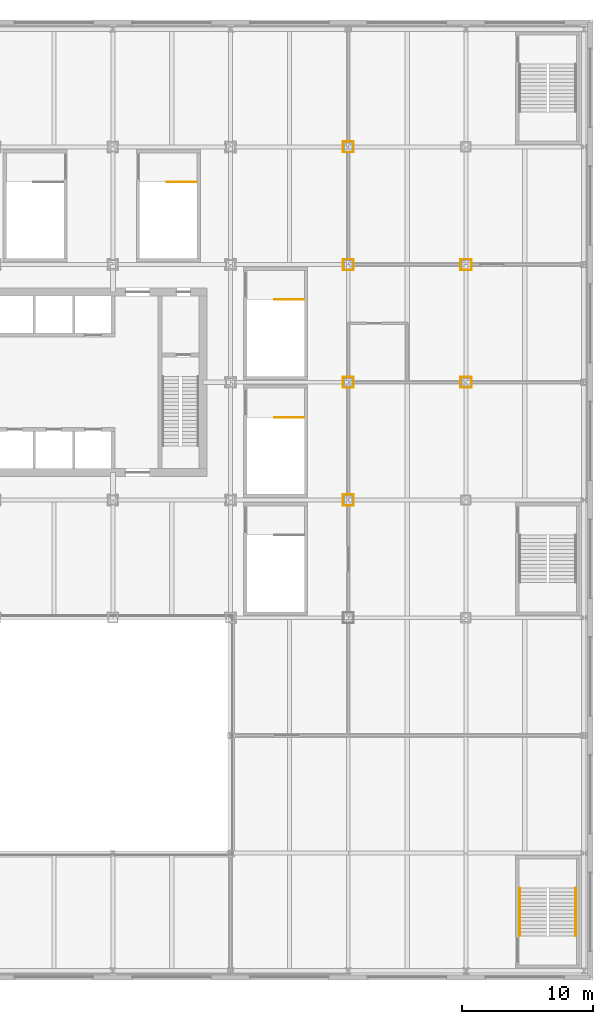
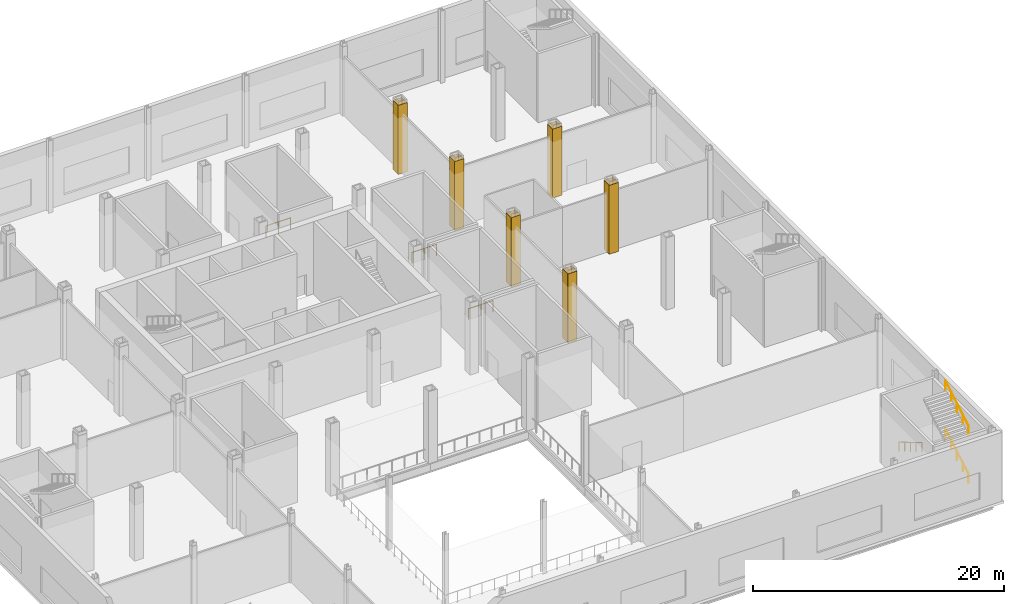
# One storey, part 27 of 32: 24 coverings, 6 railings.
"""IFC4 building model written with IfcOpenShell, lengths in metres."""

from ifc_helpers import new_model, si_unit, direction, frame, origin, origin_2d, place, context, subcontext, project, spatial, rectangle, circle, extrude, material, layer, layer_set, type_object, element, save


model = new_model("IFC4")

# Units and contexts
model_context = context("Model", 3, precision=1e-05, world=origin(), true_north=direction((0.0, 1.0)))
body_context = subcontext(model_context, "Body", "Model", "MODEL_VIEW")
ifc_project = project(units=[si_unit("LENGTHUNIT", "METRE"), si_unit("AREAUNIT", "SQUARE_METRE"), si_unit("VOLUMEUNIT", "CUBIC_METRE"), si_unit("PLANEANGLEUNIT", "RADIAN"), si_unit("MASSUNIT", "GRAM", prefix="KILO")], contexts=[model_context])

# Site, building, storey
site_placement = place(None, origin())
site = spatial("IfcSite", under=ifc_project, at=site_placement, CompositionType="ELEMENT")
building_placement = place(site_placement, origin())
building = spatial("IfcBuilding", under=site, at=building_placement, Name="Loomwork Tower", CompositionType="ELEMENT")
storey_placement = place(building_placement, frame((0.0, 0.0, 16.0)))
storey = spatial("IfcBuildingStorey", under=building, at=storey_placement, Name="L03", CompositionType="ELEMENT", Elevation=16.0)

# Coverings
ifc_material_1 = material(Name="Two-hour fire-rated gypsum board casing")
ifc_layer = layer(ifc_material_1, 0.02490234375)
ifc_layer_set = layer_set([ifc_layer], Name="Column fire casing 25")
covering_type = type_object("IfcCoveringType", Name="Column fire casing 25", PredefinedType="CLADDING", material=ifc_layer_set)
for number, where, z_axis, x_axis, name in (
    (1, (45.0, 9.41259765625, 0.0), (0.0, 0.0, 1.0), (1.0, 0.0, 0.0), "Column casing 45 9 L03"),
    (2, (45.0, 8.58740234375, 0.0), (0.0, 0.0, 1.0), (1.0, 0.0, 0.0), "Column casing 45 9 L03"),
):
    element("IfcCovering", number, at=place(storey_placement, frame(where, z_axis=z_axis, x_axis=x_axis)), inside=storey, type_object=covering_type, Name=name, PredefinedType="CLADDING", context=body_context, shape_type="SweptSolid", body=[
        extrude(rectangle(XDim=0.85009765625, YDim=0.02490234375, at=origin_2d()), origin(), (0.0, 0.0, 1.0), 6.699951171875),
    ])
for number, where, z_axis, x_axis, name in (
    (3, (45.41259765625, 9.0, 0.0), (0.0, 0.0, 1.0), (1.0, 0.0, 0.0), "Column casing 45 9 L03"),
    (4, (44.58740234375, 9.0, 0.0), (0.0, 0.0, 1.0), (1.0, 0.0, 0.0), "Column casing 45 9 L03"),
):
    element("IfcCovering", number, at=place(storey_placement, frame(where, z_axis=z_axis, x_axis=x_axis)), inside=storey, type_object=covering_type, Name=name, PredefinedType="CLADDING", context=body_context, shape_type="SweptSolid", body=[
        extrude(rectangle(XDim=0.02490234375, YDim=0.800048828125, at=origin_2d()), origin(), (0.0, 0.0, 1.0), 6.699951171875),
    ])
for number, where, z_axis, x_axis, name in (
    (5, (45.0, 18.41259765625, 0.0), (0.0, 0.0, 1.0), (1.0, 0.0, 0.0), "Column casing 45 18 L03"),
    (6, (45.0, 17.58740234375, 0.0), (0.0, 0.0, 1.0), (1.0, 0.0, 0.0), "Column casing 45 18 L03"),
):
    element("IfcCovering", number, at=place(storey_placement, frame(where, z_axis=z_axis, x_axis=x_axis)), inside=storey, type_object=covering_type, Name=name, PredefinedType="CLADDING", context=body_context, shape_type="SweptSolid", body=[
        extrude(rectangle(XDim=0.85009765625, YDim=0.02490234375, at=origin_2d()), origin(), (0.0, 0.0, 1.0), 6.699951171875),
    ])
for number, where, z_axis, x_axis, name in (
    (7, (45.41259765625, 18.0, 0.0), (0.0, 0.0, 1.0), (1.0, 0.0, 0.0), "Column casing 45 18 L03"),
    (8, (44.58740234375, 18.0, 0.0), (0.0, 0.0, 1.0), (1.0, 0.0, 0.0), "Column casing 45 18 L03"),
):
    element("IfcCovering", number, at=place(storey_placement, frame(where, z_axis=z_axis, x_axis=x_axis)), inside=storey, type_object=covering_type, Name=name, PredefinedType="CLADDING", context=body_context, shape_type="SweptSolid", body=[
        extrude(rectangle(XDim=0.02490234375, YDim=0.800048828125, at=origin_2d()), origin(), (0.0, 0.0, 1.0), 6.699951171875),
    ])
for number, where, z_axis, x_axis, name in (
    (9, (45.0, 27.41259765625, 0.0), (0.0, 0.0, 1.0), (1.0, 0.0, 0.0), "Column casing 45 27 L03"),
    (10, (45.0, 26.58740234375, 0.0), (0.0, 0.0, 1.0), (1.0, 0.0, 0.0), "Column casing 45 27 L03"),
):
    element("IfcCovering", number, at=place(storey_placement, frame(where, z_axis=z_axis, x_axis=x_axis)), inside=storey, type_object=covering_type, Name=name, PredefinedType="CLADDING", context=body_context, shape_type="SweptSolid", body=[
        extrude(rectangle(XDim=0.85009765625, YDim=0.02490234375, at=origin_2d()), origin(), (0.0, 0.0, 1.0), 6.699951171875),
    ])
for number, where, z_axis, x_axis, name in (
    (11, (45.41259765625, 27.0, 0.0), (0.0, 0.0, 1.0), (1.0, 0.0, 0.0), "Column casing 45 27 L03"),
    (12, (44.58740234375, 27.0, 0.0), (0.0, 0.0, 1.0), (1.0, 0.0, 0.0), "Column casing 45 27 L03"),
):
    element("IfcCovering", number, at=place(storey_placement, frame(where, z_axis=z_axis, x_axis=x_axis)), inside=storey, type_object=covering_type, Name=name, PredefinedType="CLADDING", context=body_context, shape_type="SweptSolid", body=[
        extrude(rectangle(XDim=0.02490234375, YDim=0.800048828125, at=origin_2d()), origin(), (0.0, 0.0, 1.0), 6.699951171875),
    ])
for number, where, z_axis, x_axis, name in (
    (13, (45.0, 36.41259765625, 0.0), (0.0, 0.0, 1.0), (1.0, 0.0, 0.0), "Column casing 45 36 L03"),
    (14, (45.0, 35.58740234375, 0.0), (0.0, 0.0, 1.0), (1.0, 0.0, 0.0), "Column casing 45 36 L03"),
):
    element("IfcCovering", number, at=place(storey_placement, frame(where, z_axis=z_axis, x_axis=x_axis)), inside=storey, type_object=covering_type, Name=name, PredefinedType="CLADDING", context=body_context, shape_type="SweptSolid", body=[
        extrude(rectangle(XDim=0.85009765625, YDim=0.02490234375, at=origin_2d()), origin(), (0.0, 0.0, 1.0), 6.699951171875),
    ])
for number, where, z_axis, x_axis, name in (
    (15, (45.41259765625, 36.0, 0.0), (0.0, 0.0, 1.0), (1.0, 0.0, 0.0), "Column casing 45 36 L03"),
    (16, (44.58740234375, 36.0, 0.0), (0.0, 0.0, 1.0), (1.0, 0.0, 0.0), "Column casing 45 36 L03"),
):
    element("IfcCovering", number, at=place(storey_placement, frame(where, z_axis=z_axis, x_axis=x_axis)), inside=storey, type_object=covering_type, Name=name, PredefinedType="CLADDING", context=body_context, shape_type="SweptSolid", body=[
        extrude(rectangle(XDim=0.02490234375, YDim=0.800048828125, at=origin_2d()), origin(), (0.0, 0.0, 1.0), 6.699951171875),
    ])
for number, where, z_axis, x_axis, name in (
    (17, (54.0, 18.41259765625, 0.0), (0.0, 0.0, 1.0), (1.0, 0.0, 0.0), "Column casing 54 18 L03"),
    (18, (54.0, 17.58740234375, 0.0), (0.0, 0.0, 1.0), (1.0, 0.0, 0.0), "Column casing 54 18 L03"),
):
    element("IfcCovering", number, at=place(storey_placement, frame(where, z_axis=z_axis, x_axis=x_axis)), inside=storey, type_object=covering_type, Name=name, PredefinedType="CLADDING", context=body_context, shape_type="SweptSolid", body=[
        extrude(rectangle(XDim=0.85009765625, YDim=0.02490234375, at=origin_2d()), origin(), (0.0, 0.0, 1.0), 6.699951171875),
    ])
for number, where, z_axis, x_axis, name in (
    (19, (54.41259765625, 18.0, 0.0), (0.0, 0.0, 1.0), (1.0, 0.0, 0.0), "Column casing 54 18 L03"),
    (20, (53.58740234375, 18.0, 0.0), (0.0, 0.0, 1.0), (1.0, 0.0, 0.0), "Column casing 54 18 L03"),
):
    element("IfcCovering", number, at=place(storey_placement, frame(where, z_axis=z_axis, x_axis=x_axis)), inside=storey, type_object=covering_type, Name=name, PredefinedType="CLADDING", context=body_context, shape_type="SweptSolid", body=[
        extrude(rectangle(XDim=0.02490234375, YDim=0.800048828125, at=origin_2d()), origin(), (0.0, 0.0, 1.0), 6.699951171875),
    ])
for number, where, z_axis, x_axis, name in (
    (21, (54.0, 27.41259765625, 0.0), (0.0, 0.0, 1.0), (1.0, 0.0, 0.0), "Column casing 54 27 L03"),
    (22, (54.0, 26.58740234375, 0.0), (0.0, 0.0, 1.0), (1.0, 0.0, 0.0), "Column casing 54 27 L03"),
):
    element("IfcCovering", number, at=place(storey_placement, frame(where, z_axis=z_axis, x_axis=x_axis)), inside=storey, type_object=covering_type, Name=name, PredefinedType="CLADDING", context=body_context, shape_type="SweptSolid", body=[
        extrude(rectangle(XDim=0.85009765625, YDim=0.02490234375, at=origin_2d()), origin(), (0.0, 0.0, 1.0), 6.699951171875),
    ])
for number, where, z_axis, x_axis, name in (
    (23, (54.41259765625, 27.0, 0.0), (0.0, 0.0, 1.0), (1.0, 0.0, 0.0), "Column casing 54 27 L03"),
    (24, (53.58740234375, 27.0, 0.0), (0.0, 0.0, 1.0), (1.0, 0.0, 0.0), "Column casing 54 27 L03"),
):
    element("IfcCovering", number, at=place(storey_placement, frame(where, z_axis=z_axis, x_axis=x_axis)), inside=storey, type_object=covering_type, Name=name, PredefinedType="CLADDING", context=body_context, shape_type="SweptSolid", body=[
        extrude(rectangle(XDim=0.02490234375, YDim=0.800048828125, at=origin_2d()), origin(), (0.0, 0.0, 1.0), 6.699951171875),
    ])

# Railings
ifc_material_2 = material(Name="Stainless steel and laminated glass guard", Category="steel")
railing_type_1 = type_object("IfcRailingType", Name="Guard 1100", PredefinedType="GUARDRAIL", material=ifc_material_2)
for number, where, name in (
    (25, (39.35009765625, 15.320068359375, 0.0), "Stair PS8 top landing guard"),
    (26, (39.35009765625, 24.320068359375, 0.0), "Stair PS9 top landing guard"),
    (27, (31.14990234375, 33.320068359375, 0.0), "Stair PS11 top landing guard"),
):
    element("IfcRailing", number, at=place(storey_placement, frame(where)), inside=storey, type_object=railing_type_1, Name=name, PredefinedType="GUARDRAIL", context=body_context, shape_type="SweptSolid", body=[
        extrude(circle(Radius=0.02392578125, at=origin_2d()), frame((0.0, 0.0, 1.076171875), z_axis=(1.0, 0.0, 0.0), x_axis=(0.0, 1.0, 0.0)), (0.0, 0.0, 1.0), 2.25),
        extrude(circle(Radius=0.02099609375, at=origin_2d()), origin(), (0.0, 0.0, 1.0), 1.052001953125),
        extrude(circle(Radius=0.02099609375, at=origin_2d()), frame((1.125, 0.0, 0.0)), (0.0, 0.0, 1.0), 1.052001953125),
        extrude(circle(Radius=0.02099609375, at=origin_2d()), frame((2.25, 0.0, 0.0)), (0.0, 0.0, 1.0), 1.052001953125),
    ])
ifc_material_3 = material(Name="Stainless steel handrail", Category="steel")
railing_type_2 = type_object("IfcRailingType", Name="Handrail 900", PredefinedType="HANDRAIL", material=ifc_material_3)
railing_1_placement = place(storey_placement, frame((62.389892578125, -24.320068359375, 0.166748046875)))
element("IfcRailing", 28, at=railing_1_placement, inside=storey, type_object=railing_type_2, Name="Podium stair PS2 handrail flight 1 L03", PredefinedType="HANDRAIL", context=body_context, shape_type="SweptSolid", body=[
    extrude(circle(Radius=0.02392578125, at=origin_2d()), frame((0.0, 0.0, 0.8759765625), z_axis=(0.0, 0.859318214192, 0.511441303336), x_axis=(-1.0, 0.0, 0.0)), (0.0, 0.0, 1.0), 4.236083984375),
    extrude(circle(Radius=0.02099609375, at=origin_2d()), origin(), (0.0, 0.0, 1.0), 0.851806640625),
    extrude(circle(Radius=0.02099609375, at=origin_2d()), frame((0.0, 0.91015625, 0.54150390625)), (0.0, 0.0, 1.0), 0.851806640625),
    extrude(circle(Radius=0.02099609375, at=origin_2d()), frame((0.0, 1.820068359375, 1.083251953125)), (0.0, 0.0, 1.0), 0.851806640625),
    extrude(circle(Radius=0.02099609375, at=origin_2d()), frame((0.0, 2.72998046875, 1.625)), (0.0, 0.0, 1.0), 0.851806640625),
    extrude(circle(Radius=0.02099609375, at=origin_2d()), frame((0.0, 3.64013671875, 2.16650390625)), (0.0, 0.0, 1.0), 0.851806640625),
])
railing_2_placement = place(storey_placement, frame((58.110107421875, -20.679931640625, 2.5)))
element("IfcRailing", 29, at=railing_2_placement, inside=storey, type_object=railing_type_2, Name="Podium stair PS2 handrail flight 2 L03", PredefinedType="HANDRAIL", context=body_context, shape_type="SweptSolid", body=[
    extrude(circle(Radius=0.02392578125, at=origin_2d()), frame((0.0, 0.0, 0.8759765625), z_axis=(0.0, -0.859318214192, 0.511441303336), x_axis=(1.0, 0.0, 0.0)), (0.0, 0.0, 1.0), 4.236083984375),
    extrude(circle(Radius=0.02099609375, at=origin_2d()), origin(), (0.0, 0.0, 1.0), 0.851806640625),
    extrude(circle(Radius=0.02099609375, at=origin_2d()), frame((0.0, -0.91015625, 0.54150390625)), (0.0, 0.0, 1.0), 0.851806640625),
    extrude(circle(Radius=0.02099609375, at=origin_2d()), frame((0.0, -1.820068359375, 1.083251953125)), (0.0, 0.0, 1.0), 0.851806640625),
    extrude(circle(Radius=0.02099609375, at=origin_2d()), frame((0.0, -2.72998046875, 1.625)), (0.0, 0.0, 1.0), 0.851806640625),
    extrude(circle(Radius=0.02099609375, at=origin_2d()), frame((0.0, -3.64013671875, 2.16650390625)), (0.0, 0.0, 1.0), 0.851806640625),
])
railing_3_placement = place(storey_placement, frame((62.389892578125, -24.320068359375, 4.83349609375)))
element("IfcRailing", 30, at=railing_3_placement, inside=storey, type_object=railing_type_2, Name="Podium stair PS2 handrail flight 3 L03", PredefinedType="HANDRAIL", context=body_context, shape_type="SweptSolid", body=[
    extrude(circle(Radius=0.02392578125, at=origin_2d()), frame((0.0, 0.0, 0.8759765625), z_axis=(0.0, 0.859318214192, 0.511441303336), x_axis=(-1.0, 0.0, 0.0)), (0.0, 0.0, 1.0), 4.236083984375),
    extrude(circle(Radius=0.02099609375, at=origin_2d()), origin(), (0.0, 0.0, 1.0), 0.851806640625),
    extrude(circle(Radius=0.02099609375, at=origin_2d()), frame((0.0, 0.91015625, 0.54150390625)), (0.0, 0.0, 1.0), 0.851806640625),
    extrude(circle(Radius=0.02099609375, at=origin_2d()), frame((0.0, 1.820068359375, 1.083251953125)), (0.0, 0.0, 1.0), 0.851806640625),
    extrude(circle(Radius=0.02099609375, at=origin_2d()), frame((0.0, 2.72998046875, 1.625)), (0.0, 0.0, 1.0), 0.851806640625),
    extrude(circle(Radius=0.02099609375, at=origin_2d()), frame((0.0, 3.64013671875, 2.16650390625)), (0.0, 0.0, 1.0), 0.851806640625),
])

save(model, "model.ifc")
